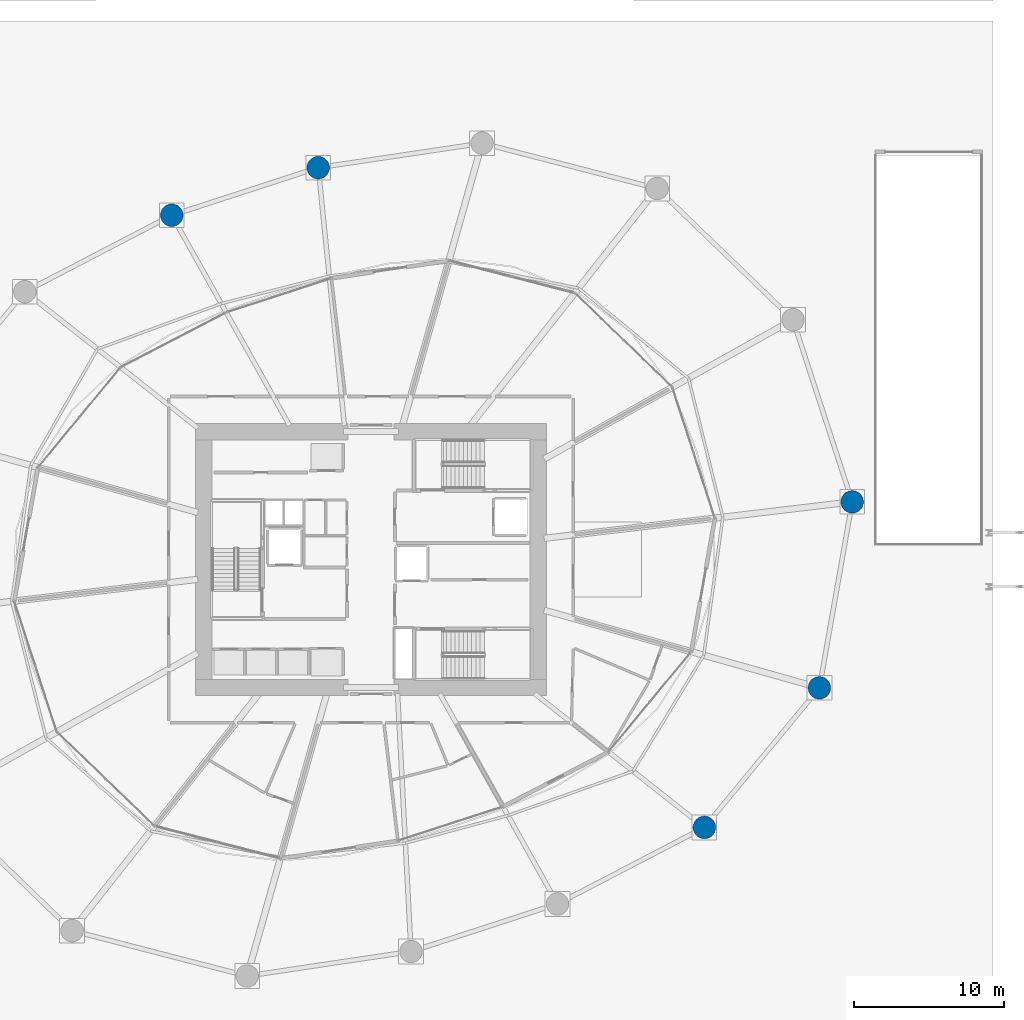
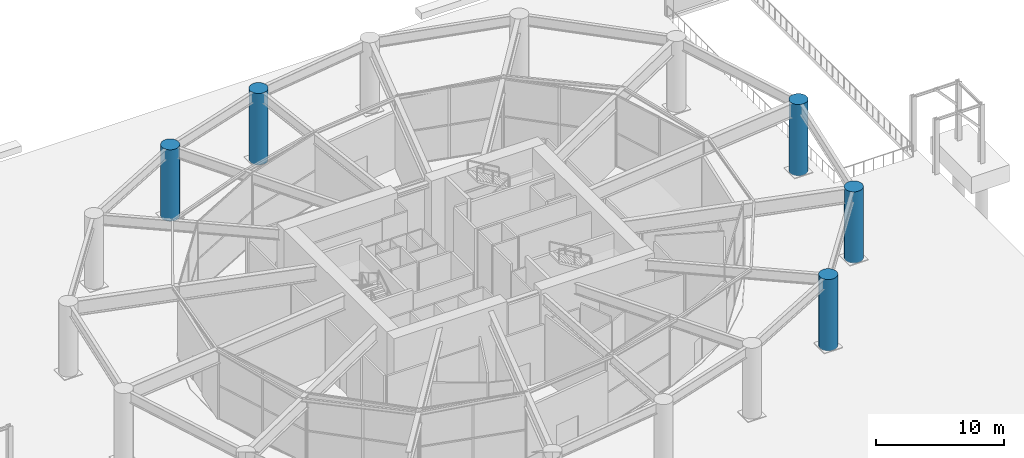
# One storey, part 4 of 28: 5 columns.
"""IFC4 building model written with IfcOpenShell, lengths in metres."""

from ifc_helpers import new_model, si_unit, direction, frame, origin, origin_2d, place, context, subcontext, project, spatial, circle, extrude, material, material_profile, profile_set, type_object, element, save


model = new_model("IFC4")

# Units and contexts
model_context = context("Model", 3, precision=1e-05, world=origin(), true_north=direction((0.0, 1.0)))
body_context = subcontext(model_context, "Body", "Model", "MODEL_VIEW")
ifc_project = project(units=[si_unit("LENGTHUNIT", "METRE"), si_unit("AREAUNIT", "SQUARE_METRE"), si_unit("VOLUMEUNIT", "CUBIC_METRE"), si_unit("PLANEANGLEUNIT", "RADIAN"), si_unit("MASSUNIT", "GRAM", prefix="KILO")], contexts=[model_context])

# Site, building, storey
site_placement = place(None, origin())
site = spatial("IfcSite", under=ifc_project, at=site_placement, CompositionType="ELEMENT")
building_placement = place(site_placement, origin())
building = spatial("IfcBuilding", under=site, at=building_placement, Name="Kazma Halo Residences", CompositionType="ELEMENT")
storey_placement = place(building_placement, origin())
storey = spatial("IfcBuildingStorey", under=building, at=storey_placement, Name="L00", CompositionType="ELEMENT", Elevation=0.0)

# Columns
ifc_material = material(Name="Concrete C80/95", Category="concrete")
ifc_material_profile = material_profile(ifc_material, circle(Radius=0.75, at=origin_2d()), Name="CIRC1500")
ifc_profile_set = profile_set([ifc_material_profile], Name="Concrete C80/95")
column_type = type_object("IfcColumnType", Name="COL-PILOTIS-1500", PredefinedType="COLUMN", material=ifc_profile_set)
for number, where, z_axis, x_axis, name in (
    (1, (44.8994140625, 68.196044921875, 0.0), (0.0, 0.0, 1.0), (1.0, 0.0, 0.0), "L00 open pilotis stilt column P04"),
    (2, (35.110595703125, 65.015625, 0.0), (0.0, 0.0, 1.0), (1.0, 0.0, 0.0), "L00 open pilotis stilt column P05"),
    (3, (70.708984375, 24.09765625, 0.0), (0.0, 0.0, 1.0), (1.0, 0.0, 0.0), "L00 open pilotis stilt column P14"),
    (4, (78.397705078125, 33.427001953125, 0.0), (0.0, 0.0, 1.0), (1.0, 0.0, 0.0), "L00 open pilotis stilt column P15"),
    (5, (80.589599609375, 45.857177734375, 0.0), (0.0, 0.0, 1.0), (1.0, 0.0, 0.0), "L00 open pilotis stilt column P16"),
):
    element("IfcColumn", number, at=place(storey_placement, frame(where, z_axis=z_axis, x_axis=x_axis)), inside=storey, type_object=column_type, Name=name, PredefinedType="COLUMN", context=body_context, shape_type="SweptSolid", body=[
        extrude(circle(Radius=0.75, at=origin_2d()), origin(), (0.0, 0.0, 1.0), 6.800048828125),
    ])

save(model, "model.ifc")
